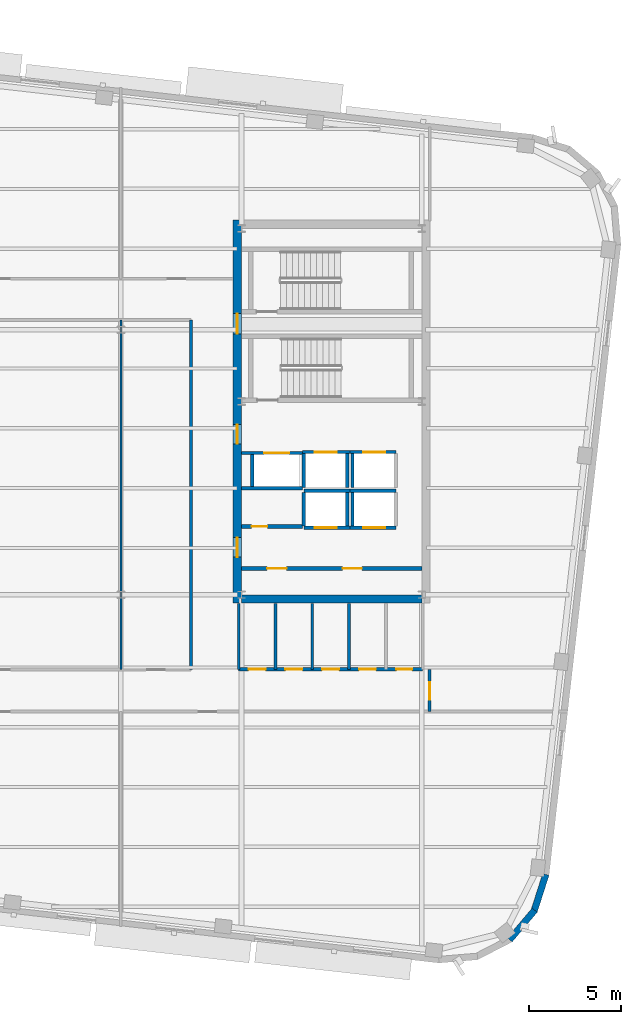
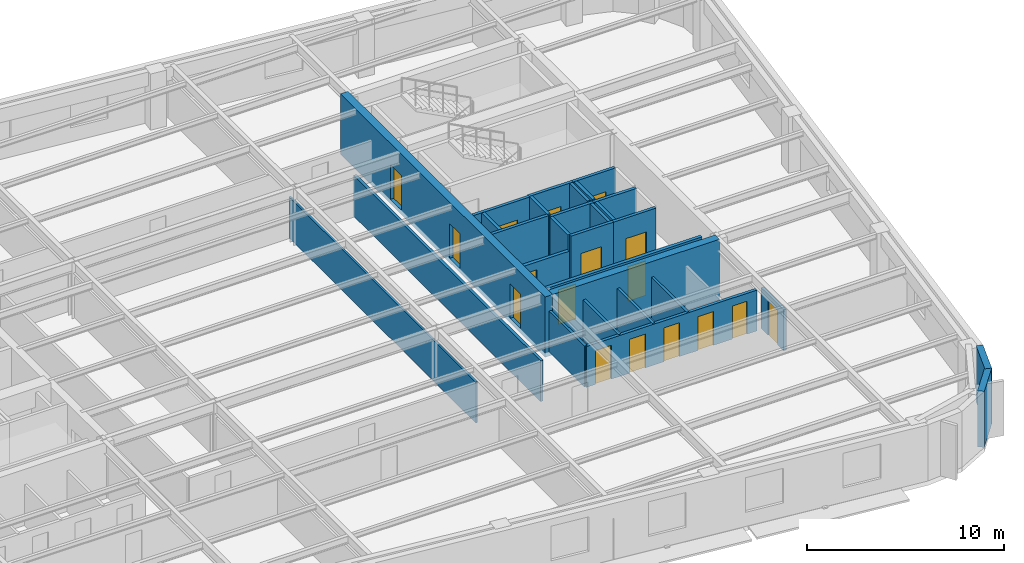
# One storey, part 7 of 14: 29 walls, 17 doors, 17 openings.
"""IFC4 building model written with IfcOpenShell, lengths in metres."""

import ifcopenshell
import ifcopenshell.guid

model = None  # the IFC model being written
_history = None  # IfcOwnerHistory: only IFC2X3 demands one
_inside = {}  # id of a spatial element -> (the spatial element, [elements in it])
_under = {}  # id of a project, library or spatial element -> (it, [spatial elements below it])
_declared = {}  # id of a project -> (the project, [libraries it declares])
_typed = {}  # id of a type object -> (the type object, [elements of that type])
_made_of = {}  # id of a material, layer set ... -> (it, [elements and type objects made of it])


def new_model(schema):
    """Start an empty IFC model of exactly this schema.

    Asked for "IFC4X3", IfcOpenShell would pick the latest addendum, in which some entities
    have other attributes; the version numbers below select the first issue.
    IFC2X3 requires an IfcOwnerHistory on every rooted entity: one is made here for all.
    """
    global model, _history
    if schema == "IFC4X3":
        model = ifcopenshell.file(schema_version=(4, 3, 0, 0))
    else:
        model = ifcopenshell.file(schema=schema)
    _inside.clear()
    _under.clear()
    _declared.clear()
    _typed.clear()
    _made_of.clear()
    _history = None
    if model.schema == "IFC2X3":
        org = make("IfcOrganization", Name="unknown")
        user = make(
            "IfcPersonAndOrganization",
            ThePerson=make("IfcPerson", FamilyName="unknown"),
            TheOrganization=org,
        )
        app = make(
            "IfcApplication",
            ApplicationDeveloper=org,
            Version="unknown",
            ApplicationFullName="unknown",
            ApplicationIdentifier="unknown",
        )
        _history = make(
            "IfcOwnerHistory",
            OwningUser=user,
            OwningApplication=app,
            ChangeAction="ADDED",
            CreationDate=0,
        )
    return model


def make(cls, **values):
    """One entity of the class cls with the attributes given. An attribute that is None is left unset."""
    return model.create_entity(
        cls, **{name: value for name, value in values.items() if value is not None}
    )


def rooted(cls, **values):
    """An entity with a GlobalId (a new one), such as an element, a storey or a relation."""
    return make(cls, GlobalId=ifcopenshell.guid.new(), OwnerHistory=_history, **values)


def si_unit(unit_type, name, prefix=None):
    """IfcSIUnit, for example si_unit("LENGTHUNIT", "METRE", prefix="MILLI")."""
    return make("IfcSIUnit", UnitType=unit_type, Prefix=prefix, Name=name)


def assignment(units):
    """IfcUnitAssignment: the units of a project."""
    return None if units is None else make("IfcUnitAssignment", Units=units)


def point(xyz):
    """IfcCartesianPoint."""
    return None if xyz is None else make("IfcCartesianPoint", Coordinates=xyz)


def direction(xyz):
    """IfcDirection."""
    return None if xyz is None else make("IfcDirection", DirectionRatios=xyz)


def frame(location, z_axis=None, x_axis=None):
    """IfcAxis2Placement3D, a coordinate frame: its origin and axes. An axis left out is left unset."""
    return make(
        "IfcAxis2Placement3D",
        Location=point(location),
        Axis=direction(z_axis),
        RefDirection=direction(x_axis),
    )


def frame_2d(location, x_axis=None):
    """IfcAxis2Placement2D, a coordinate frame in the plane: its origin and x axis."""
    return make(
        "IfcAxis2Placement2D", Location=point(location), RefDirection=direction(x_axis)
    )


def origin():
    """The frame at (0, 0, 0) with its axes left unset."""
    return frame((0.0, 0.0, 0.0))


def place(relative_to, where):
    """IfcLocalPlacement: puts the frame where relative to a parent placement (None: the world)."""
    return make(
        "IfcLocalPlacement", PlacementRelTo=relative_to, RelativePlacement=where
    )


def context(
    kind, dimensions, precision=None, world=None, true_north=None, identifier=None
):
    """IfcGeometricRepresentationContext, for example the 3D "Model" context."""
    return make(
        "IfcGeometricRepresentationContext",
        ContextIdentifier=identifier,
        ContextType=kind,
        CoordinateSpaceDimension=dimensions,
        Precision=precision,
        WorldCoordinateSystem=world,
        TrueNorth=true_north,
    )


def subcontext(parent, identifier, kind, view, scale=None):
    """IfcGeometricRepresentationSubContext, for example "Body" below "Model"."""
    return make(
        "IfcGeometricRepresentationSubContext",
        ContextIdentifier=identifier,
        ContextType=kind,
        ParentContext=parent,
        TargetScale=scale,
        TargetView=view,
    )


def project(units=None, contexts=None):
    """IfcProject with its units and contexts."""
    return rooted(
        "IfcProject",
        Name="project",
        RepresentationContexts=contexts,
        UnitsInContext=assignment(units),
    )


def spatial(cls, under=None, at=None, **own):
    """A site, building, storey or space (cls), placed at a placement, below another one or the project."""
    s = rooted(cls, ObjectPlacement=at, **own)
    if under is not None:
        _under.setdefault(under.id(), (under, []))[1].append(s)
    return s


def profile(cls, at=None, kind="AREA", **sizes):
    """A parametric profile (cls). Its sizes go by their IFC names, for example OverallWidth=200.0."""
    return make(cls, ProfileType=kind, Position=at, **sizes)


def rectangle(**sizes):
    """IfcRectangleProfileDef."""
    return profile("IfcRectangleProfileDef", **sizes)


def extrude(swept, where, along, depth):
    """IfcExtrudedAreaSolid: the profile swept, set in the frame where, extruded along a direction by depth."""
    return make(
        "IfcExtrudedAreaSolid",
        SweptArea=swept,
        Position=where,
        ExtrudedDirection=direction(along),
        Depth=depth,
    )


def shape(context_of_items, identifier, shape_type, items):
    """IfcShapeRepresentation: the items that make up one representation, for example the "Body"."""
    return make(
        "IfcShapeRepresentation",
        ContextOfItems=context_of_items,
        RepresentationIdentifier=identifier,
        RepresentationType=shape_type,
        Items=items,
    )


def material(Name=None, Category=None):
    """IfcMaterial."""
    return make("IfcMaterial", Name=Name, Category=Category)


def layer(
    of_material, thickness, ventilated=None, Name=None, Category=None, Priority=None
):
    """IfcMaterialLayer: one layer of a wall or slab, of a material (None: an air gap)."""
    return make(
        "IfcMaterialLayer",
        Material=of_material,
        LayerThickness=thickness,
        IsVentilated=ventilated,
        Name=Name,
        Category=Category,
        Priority=Priority,
    )


def layer_set(layers, Name=None):
    """IfcMaterialLayerSet."""
    return make("IfcMaterialLayerSet", MaterialLayers=layers, LayerSetName=Name)


def made_of(thing, what):
    """Note that an element or type object is made of a material, layer set ...; save() writes the relation."""
    if what is not None:
        _made_of.setdefault(what.id(), (what, []))[1].append(thing)
    return thing


def type_object(cls, material=None, **own):
    """A type object (cls), such as IfcWallType, which elements share."""
    return made_of(rooted(cls, **own), material)


def element(
    cls,
    number,
    at=None,
    inside=None,
    cuts=None,
    type_object=None,
    material=None,
    context=None,
    identifier="Body",
    shape_type=None,
    held_by="IfcProductDefinitionShape",
    body=None,
    shapes=None,
    **own,
):
    """One element of the class cls, such as IfcWall. Its Tag is "e" and its number.

    at: its placement. inside: the storey or other place that contains it. cuts: it is an
    opening in that element (IfcRelVoidsElement). A single representation is given by context,
    identifier, shape_type and body (its items); several are given by shapes. held_by: the class
    of the entity that holds the representations. save() writes the other relations.
    """
    e = rooted(cls, Tag="e%d" % number, ObjectPlacement=at, **own)
    if body is not None:
        shapes = [shape(context, identifier, shape_type, body)]
    if shapes is not None:
        e.Representation = make(held_by, Representations=shapes)
    if inside is not None:
        _inside.setdefault(inside.id(), (inside, []))[1].append(e)
    if cuts is not None:
        rooted(
            "IfcRelVoidsElement", RelatingBuildingElement=cuts, RelatedOpeningElement=e
        )
    if type_object is not None:
        _typed.setdefault(type_object.id(), (type_object, []))[1].append(e)
    return made_of(e, material)


def fill(opening, filler):
    """IfcRelFillsElement: the door or window that sits in an opening."""
    return rooted(
        "IfcRelFillsElement",
        RelatingOpeningElement=opening,
        RelatedBuildingElement=filler,
    )


def aggregate(whole, parts):
    """IfcRelAggregates: a whole, such as a stair, and the parts it consists of."""
    return rooted("IfcRelAggregates", RelatingObject=whole, RelatedObjects=parts)


def save(model, path):
    """Write the relations noted so far, then the file.

    IfcRelAggregates (storeys below a building ...), IfcRelContainedInSpatialStructure (elements
    in a storey), IfcRelDefinesByType, IfcRelAssociatesMaterial and IfcRelDeclares: one each for
    every whole, place, type object, material and project.
    """
    for whole, parts in _under.values():
        aggregate(whole, parts)
    for where, things in _inside.values():
        rooted(
            "IfcRelContainedInSpatialStructure",
            RelatedElements=things,
            RelatingStructure=where,
        )
    for kind, things in _typed.values():
        rooted("IfcRelDefinesByType", RelatedObjects=things, RelatingType=kind)
    for what, things in _made_of.values():
        rooted("IfcRelAssociatesMaterial", RelatedObjects=things, RelatingMaterial=what)
    for by, libraries in _declared.values():
        rooted("IfcRelDeclares", RelatingContext=by, RelatedDefinitions=libraries)
    model.write(path)


model = new_model("IFC4")

# Units and contexts
model_context = context("Model", 3, precision=1e-05, world=origin(), true_north=direction((0.0, 1.0)))
body_context = subcontext(model_context, "Body", "Model", "MODEL_VIEW")
ifc_project = project(units=[si_unit("LENGTHUNIT", "METRE"), si_unit("AREAUNIT", "SQUARE_METRE"), si_unit("VOLUMEUNIT", "CUBIC_METRE"), si_unit("PLANEANGLEUNIT", "RADIAN"), si_unit("MASSUNIT", "GRAM", prefix="KILO")], contexts=[model_context])

# Site, building, storey
site_placement = place(None, origin())
site = spatial("IfcSite", under=ifc_project, at=site_placement, CompositionType="ELEMENT")
building_placement = place(site_placement, origin())
building = spatial("IfcBuilding", under=site, at=building_placement, Name="Kolvaren Arena Tower", CompositionType="ELEMENT")
storey_placement = place(building_placement, frame((0.0, 0.0, 235.949951171875)))
storey = spatial("IfcBuildingStorey", under=building, at=storey_placement, Name="L57", CompositionType="ELEMENT", Elevation=235.949951171875)

# Wall
ifc_material_1 = material(Name="Gypsum board acoustic assembly", Category="gypsum")
ifc_layer_1 = layer(ifc_material_1, 0.159912109375)
ifc_layer_set_1 = layer_set([ifc_layer_1], Name="Gypsum board acoustic assembly")
wall_type_1 = type_object("IfcWallType", Name="CORR-160", PredefinedType="PARTITIONING", material=ifc_layer_set_1)
wall_1_placement = place(storey_placement, frame((47.820068359375, 15.3798828125, 0.0), z_axis=(0.0, 0.0, 1.0), x_axis=(0.0, 1.0, 0.0)))
element("IfcWall", 1, at=wall_1_placement, inside=storey, type_object=wall_type_1, Name="Interior Partition Wall (L57)", PredefinedType="PARTITIONING", context=body_context, shape_type="SweptSolid", body=[
    extrude(rectangle(XDim=19.0, YDim=0.159912109375, at=frame_2d((9.5, 0.0))), origin(), (0.0, 0.0, 1.0), 2.5400390625),
])

# Wall, opening, door
wall_2_placement = place(storey_placement, frame((60.780029296875, 13.10009765625, 0.0), z_axis=(0.0, 0.0, 1.0), x_axis=(0.0, 1.0, 0.0)))
wall_2 = element("IfcWall", 2, at=wall_2_placement, inside=storey, type_object=wall_type_1, Name="Interior Partition Wall (L57)", PredefinedType="PARTITIONING", context=body_context, shape_type="SweptSolid", body=[
    extrude(rectangle(XDim=2.2998046875, YDim=0.159912109375, at=frame_2d((1.14990234375, 0.0))), origin(), (0.0, 0.0, 1.0), 2.5400390625),
])
opening_1_placement = place(wall_2_placement, frame((0.64990234375, 0.0, 0.0)))
opening_1 = element("IfcOpeningElement", 3, at=opening_1_placement, cuts=wall_2, Name="Opening D05", PredefinedType="OPENING", context=body_context, shape_type="SweptSolid", body=[
    extrude(rectangle(XDim=0.949951171875, YDim=2.14990234375, at=frame_2d((0.47509765625, 1.074951171875))), frame((0.0, 0.08984375, 0.0), z_axis=(0.0, -1.0, 0.0), x_axis=(1.0, 0.0, 0.0)), (0.0, 0.0, 1.0), 0.179931640625),
])
ifc_material_2 = material(Name="Solid-core oak acoustic office door", Category="wood")
door_type_1 = type_object("IfcDoorType", Name="DOOR-OF-095", OperationType="NOTDEFINED", PredefinedType="DOOR", material=ifc_material_2)
door_1_placement = place(opening_1_placement, origin())
door_1 = element("IfcDoor", 4, at=door_1_placement, inside=storey, type_object=door_type_1, Name="East Wing Studio Door (L57)", OperationType="SINGLE_SWING_RIGHT", OverallHeight=2.14990234375, OverallWidth=0.949951171875, PredefinedType="DOOR", context=body_context, shape_type="SweptSolid", body=[
    extrude(rectangle(XDim=0.949951171875, YDim=2.14990234375, at=frame_2d((0.47509765625, 1.074951171875))), frame((0.0, 0.02490234375, 0.0), z_axis=(0.0, -1.0, 0.0), x_axis=(1.0, 0.0, 0.0)), (0.0, 0.0, 1.0), 0.050048828125),
])
fill(opening_1, door_1)

# Wall, openings, doors
ifc_material_3 = material(Name="Concrete 55 MPa", Category="concrete")
ifc_layer_2 = layer(ifc_material_3, 0.449951171875)
ifc_layer_set_2 = layer_set([ifc_layer_2], Name="Concrete 55 MPa")
wall_type_2 = type_object("IfcWallType", Name="CWALL-450", PredefinedType="SHEAR", material=ifc_layer_set_2)
wall_3_placement = place(storey_placement, frame((50.324951171875, 19.0, -0.27001953125), z_axis=(0.0, 0.0, 1.0), x_axis=(0.0, 1.0, 0.0)))
wall_3 = element("IfcWall", 5, at=wall_3_placement, inside=storey, type_object=wall_type_2, Name="Core Shear Wall EC-WEST (L57)", PredefinedType="SHEAR", context=body_context, shape_type="SweptSolid", body=[
    extrude(rectangle(XDim=20.800048828125, YDim=0.449951171875, at=frame_2d((10.39990234375, 0.0))), origin(), (0.0, 0.0, 1.0), 3.75),
])
opening_2_placement = place(wall_3_placement, frame((2.5, 0.0, 0.27001953125)))
opening_2 = element("IfcOpeningElement", 6, at=opening_2_placement, cuts=wall_3, Name="Opening D04", PredefinedType="OPENING", context=body_context, shape_type="SweptSolid", body=[
    extrude(rectangle(XDim=1.050048828125, YDim=2.14990234375, at=frame_2d((0.52490234375, 1.074951171875))), frame((0.0, 0.23486328125, 0.0), z_axis=(0.0, -1.0, 0.0), x_axis=(1.0, 0.0, 0.0)), (0.0, 0.0, 1.0), 0.469970703125),
])
opening_3_placement = place(wall_3_placement, frame((8.64990234375, 0.0, 0.27001953125)))
opening_3 = element("IfcOpeningElement", 7, at=opening_3_placement, cuts=wall_3, Name="Opening D04", PredefinedType="OPENING", context=body_context, shape_type="SweptSolid", body=[
    extrude(rectangle(XDim=1.050048828125, YDim=2.14990234375, at=frame_2d((0.52490234375, 1.074951171875))), frame((0.0, 0.23486328125, 0.0), z_axis=(0.0, -1.0, 0.0), x_axis=(1.0, 0.0, 0.0)), (0.0, 0.0, 1.0), 0.469970703125),
])
opening_4_placement = place(wall_3_placement, frame((14.6201171875, 0.0, 0.27001953125)))
opening_4 = element("IfcOpeningElement", 8, at=opening_4_placement, cuts=wall_3, Name="Opening D03", PredefinedType="OPENING", context=body_context, shape_type="SweptSolid", body=[
    extrude(rectangle(XDim=1.10009765625, YDim=2.14990234375, at=frame_2d((0.550048828125, 1.074951171875))), frame((0.0, 0.23486328125, 0.0), z_axis=(0.0, -1.0, 0.0), x_axis=(1.0, 0.0, 0.0)), (0.0, 0.0, 1.0), 0.469970703125),
])
ifc_material_4 = material(Name="Fire-rated steel lobby door", Category="steel")
door_type_2 = type_object("IfcDoorType", Name="DOOR-FF-105", OperationType="NOTDEFINED", PredefinedType="DOOR", material=ifc_material_4)
door_2_placement = place(opening_2_placement, origin())
door_2 = element("IfcDoor", 9, at=door_2_placement, inside=storey, type_object=door_type_2, Name="East Lift Lobby Fire Door (L57)", OperationType="SINGLE_SWING_RIGHT", OverallHeight=2.14990234375, OverallWidth=1.050048828125, PredefinedType="DOOR", context=body_context, shape_type="SweptSolid", body=[
    extrude(rectangle(XDim=1.050048828125, YDim=2.14990234375, at=frame_2d((0.52490234375, 1.074951171875))), frame((0.0, 0.02490234375, 0.0), z_axis=(0.0, -1.0, 0.0), x_axis=(1.0, 0.0, 0.0)), (0.0, 0.0, 1.0), 0.050048828125),
])
fill(opening_2, door_2)
door_3_placement = place(opening_3_placement, origin())
door_3 = element("IfcDoor", 10, at=door_3_placement, inside=storey, type_object=door_type_2, Name="East Firefighter Vestibule Door (L57)", OperationType="SINGLE_SWING_LEFT", OverallHeight=2.14990234375, OverallWidth=1.050048828125, PredefinedType="DOOR", context=body_context, shape_type="SweptSolid", body=[
    extrude(rectangle(XDim=1.050048828125, YDim=2.14990234375, at=frame_2d((0.52490234375, 1.074951171875))), frame((0.0, 0.02490234375, 0.0), z_axis=(0.0, -1.0, 0.0), x_axis=(1.0, 0.0, 0.0)), (0.0, 0.0, 1.0), 0.050048828125),
])
fill(opening_3, door_3)
ifc_material_5 = material(Name="Fire-rated steel exit stair door", Category="steel")
door_type_3 = type_object("IfcDoorType", Name="DOOR-ST-110", OperationType="NOTDEFINED", PredefinedType="DOOR", material=ifc_material_5)
door_4_placement = place(opening_4_placement, origin())
door_4 = element("IfcDoor", 11, at=door_4_placement, inside=storey, type_object=door_type_3, Name="Stair ST-E2 Vestibule Fire Door (L57)", OperationType="SINGLE_SWING_LEFT", OverallHeight=2.14990234375, OverallWidth=1.10009765625, PredefinedType="DOOR", context=body_context, shape_type="SweptSolid", body=[
    extrude(rectangle(XDim=1.10009765625, YDim=2.14990234375, at=frame_2d((0.550048828125, 1.074951171875))), frame((0.0, 0.02490234375, 0.0), z_axis=(0.0, -1.0, 0.0), x_axis=(1.0, 0.0, 0.0)), (0.0, 0.0, 1.0), 0.050048828125),
])
fill(opening_4, door_4)

# Walls
wall_4_placement = place(storey_placement, frame((50.550048828125, 19.22509765625, -0.27001953125), z_axis=(0.0, 0.0, 1.0), x_axis=(1.0, 0.0, 0.0)))
element("IfcWall", 12, at=wall_4_placement, inside=storey, type_object=wall_type_2, Name="Core Shear Wall EC-SOUTH (L57)", PredefinedType="SHEAR", context=body_context, shape_type="SweptSolid", body=[
    extrude(rectangle(XDim=9.800048828125, YDim=0.449951171875, at=frame_2d((4.89990234375, 0.0))), origin(), (0.0, 0.0, 1.0), 3.75),
])
ifc_material_6 = material(Name="Precast concrete C50/60", Category="concrete")
ifc_layer_3 = layer(ifc_material_6, 0.360107421875)
ifc_layer_set_3 = layer_set([ifc_layer_3], Name="Precast concrete C50/60")
wall_type_3 = type_object("IfcWallType", Name="EXT-PIER2", PredefinedType="SOLIDWALL", material=ifc_layer_set_3)
wall_5_placement = place(storey_placement, frame((66.482421875, 2.310302734375, 0.0), z_axis=(0.0, 0.0, 1.0), x_axis=(-0.646103249464, -0.763250018691, 0.0)))
element("IfcWall", 13, at=wall_5_placement, inside=storey, type_object=wall_type_3, Name="Exterior Precast Masonry-Frame Wall (L57)", PredefinedType="SOLIDWALL", context=body_context, shape_type="SweptSolid", body=[
    extrude(rectangle(XDim=2.10693359375, YDim=0.360107421875, at=frame_2d((1.053466796875, 0.0))), origin(), (0.0, 0.0, 1.0), 3.47998046875),
])
wall_6_placement = place(storey_placement, frame((67.0908203125, 4.255615234375, 0.0), z_axis=(0.0, 0.0, 1.0), x_axis=(-0.304838787518, -0.952403965565, 0.0)))
element("IfcWall", 14, at=wall_6_placement, inside=storey, type_object=wall_type_3, Name="Exterior Precast Masonry-Frame Wall (L57)", PredefinedType="SOLIDWALL", context=body_context, shape_type="SweptSolid", body=[
    extrude(rectangle(XDim=2.107177734375, YDim=0.360107421875, at=frame_2d((1.0537109375, 0.0))), origin(), (0.0, 0.0, 1.0), 3.47998046875),
])

# Wall, openings, doors
ifc_material_7 = material(Name="Concrete 40 MPa", Category="concrete")
ifc_layer_4 = layer(ifc_material_7, 0.199951171875)
ifc_layer_set_4 = layer_set([ifc_layer_4], Name="Concrete 40 MPa")
wall_type_4 = type_object("IfcWallType", Name="LOBBY-200", PredefinedType="SOLIDWALL", material=ifc_layer_set_4)
wall_7_placement = place(storey_placement, frame((50.550048828125, 20.8798828125, 0.0), z_axis=(0.0, 0.0, 1.0), x_axis=(1.0, 0.0, 0.0)))
wall_7 = element("IfcWall", 15, at=wall_7_placement, inside=storey, type_object=wall_type_4, Name="Core Shaft Wall (L57)", PredefinedType="SOLIDWALL", context=body_context, shape_type="SweptSolid", body=[
    extrude(rectangle(XDim=9.800048828125, YDim=0.199951171875, at=frame_2d((4.89990234375, 0.0))), origin(), (0.0, 0.0, 1.0), 2.5400390625),
])
opening_5_placement = place(wall_7_placement, frame((1.39990234375, 0.0, 0.0)))
opening_5 = element("IfcOpeningElement", 16, at=opening_5_placement, cuts=wall_7, Name="Opening D04", PredefinedType="OPENING", context=body_context, shape_type="SweptSolid", body=[
    extrude(rectangle(XDim=1.050048828125, YDim=2.14990234375, at=frame_2d((0.52490234375, 1.074951171875))), frame((0.0, 0.10986328125, 0.0), z_axis=(0.0, -1.0, 0.0), x_axis=(1.0, 0.0, 0.0)), (0.0, 0.0, 1.0), 0.219970703125),
])
opening_6_placement = place(wall_7_placement, frame((5.5, 0.0, 0.0)))
opening_6 = element("IfcOpeningElement", 17, at=opening_6_placement, cuts=wall_7, Name="Opening D04", PredefinedType="OPENING", context=body_context, shape_type="SweptSolid", body=[
    extrude(rectangle(XDim=1.050048828125, YDim=2.14990234375, at=frame_2d((0.52490234375, 1.074951171875))), frame((0.0, 0.10986328125, 0.0), z_axis=(0.0, -1.0, 0.0), x_axis=(1.0, 0.0, 0.0)), (0.0, 0.0, 1.0), 0.219970703125),
])
door_5_placement = place(opening_5_placement, origin())
door_5 = element("IfcDoor", 18, at=door_5_placement, inside=storey, type_object=door_type_2, Name="East Telecom Room Fire Door (L57)", OperationType="SINGLE_SWING_RIGHT", OverallHeight=2.14990234375, OverallWidth=1.050048828125, PredefinedType="DOOR", context=body_context, shape_type="SweptSolid", body=[
    extrude(rectangle(XDim=1.050048828125, YDim=2.14990234375, at=frame_2d((0.52490234375, 1.074951171875))), frame((0.0, 0.02490234375, 0.0), z_axis=(0.0, -1.0, 0.0), x_axis=(1.0, 0.0, 0.0)), (0.0, 0.0, 1.0), 0.050048828125),
])
fill(opening_5, door_5)
door_6_placement = place(opening_6_placement, origin())
door_6 = element("IfcDoor", 19, at=door_6_placement, inside=storey, type_object=door_type_2, Name="East Records Room Fire Door (L57)", OperationType="SINGLE_SWING_LEFT", OverallHeight=2.14990234375, OverallWidth=1.050048828125, PredefinedType="DOOR", context=body_context, shape_type="SweptSolid", body=[
    extrude(rectangle(XDim=1.050048828125, YDim=2.14990234375, at=frame_2d((0.52490234375, 1.074951171875))), frame((0.0, 0.02490234375, 0.0), z_axis=(0.0, -1.0, 0.0), x_axis=(1.0, 0.0, 0.0)), (0.0, 0.0, 1.0), 0.050048828125),
])
fill(opening_6, door_6)

# Wall, opening, door
wall_8_placement = place(storey_placement, frame((50.550048828125, 23.159912109375, 0.0), z_axis=(0.0, 0.0, 1.0), x_axis=(1.0, 0.0, 0.0)))
wall_8 = element("IfcWall", 20, at=wall_8_placement, inside=storey, type_object=wall_type_4, Name="Core Shaft Wall (L57)", PredefinedType="SOLIDWALL", context=body_context, shape_type="SweptSolid", body=[
    extrude(rectangle(XDim=3.329833984375, YDim=0.199951171875, at=frame_2d((1.6650390625, 0.0))), origin(), (0.0, 0.0, 1.0), 2.5400390625),
])
opening_7_placement = place(wall_8_placement, frame((0.550048828125, 0.0, 0.0)))
opening_7 = element("IfcOpeningElement", 21, at=opening_7_placement, cuts=wall_8, Name="Opening D09", PredefinedType="OPENING", context=body_context, shape_type="SweptSolid", body=[
    extrude(rectangle(XDim=0.860107421875, YDim=2.050048828125, at=frame_2d((0.43017578125, 1.02490234375))), frame((0.0, 0.10986328125, 0.0), z_axis=(0.0, -1.0, 0.0), x_axis=(1.0, 0.0, 0.0)), (0.0, 0.0, 1.0), 0.219970703125),
])
ifc_material_8 = material(Name="Fire-rated steel riser access door", Category="steel")
door_type_4 = type_object("IfcDoorType", Name="DOOR-RS-086", OperationType="NOTDEFINED", PredefinedType="DOOR", material=ifc_material_8)
door_7_placement = place(opening_7_placement, origin())
door_7 = element("IfcDoor", 22, at=door_7_placement, inside=storey, type_object=door_type_4, Name="East AV Riser Closet Door (L57)", OperationType="SINGLE_SWING_LEFT", OverallHeight=2.050048828125, OverallWidth=0.860107421875, PredefinedType="DOOR", context=body_context, shape_type="SweptSolid", body=[
    extrude(rectangle(XDim=0.860107421875, YDim=2.050048828125, at=frame_2d((0.43017578125, 1.02490234375))), frame((0.0, 0.02490234375, 0.0), z_axis=(0.0, -1.0, 0.0), x_axis=(1.0, 0.0, 0.0)), (0.0, 0.0, 1.0), 0.050048828125),
])
fill(opening_7, door_7)

# Walls
ifc_material_9 = material(Name="Gypsum board partition assembly", Category="gypsum")
ifc_layer_5 = layer(ifc_material_9, 0.114990234375)
ifc_layer_set_5 = layer_set([ifc_layer_5], Name="Gypsum board partition assembly")
wall_type_5 = type_object("IfcWallType", Name="PART-115", PredefinedType="PARTITIONING", material=ifc_layer_set_5)
wall_9_placement = place(storey_placement, frame((44.0, 15.3798828125, 0.0), z_axis=(0.0, 0.0, 1.0), x_axis=(0.0, 1.0, 0.0)))
element("IfcWall", 23, at=wall_9_placement, inside=storey, type_object=wall_type_5, Name="Interior Partition Wall (L57)", PredefinedType="PARTITIONING", context=body_context, shape_type="SweptSolid", body=[
    extrude(rectangle(XDim=19.0, YDim=0.114990234375, at=frame_2d((9.5, 0.0))), origin(), (0.0, 0.0, 1.0), 2.5400390625),
])
ifc_material_10 = material(Name="Concrete 45 MPa", Category="concrete")
ifc_layer_6 = layer(ifc_material_10, 0.25)
ifc_layer_set_6 = layer_set([ifc_layer_6], Name="Concrete 45 MPa")
wall_type_6 = type_object("IfcWallType", Name="SHAFT-250", PredefinedType="SOLIDWALL", material=ifc_layer_set_6)
wall_10_placement = place(storey_placement, frame((53.93994140625, 25.10498046875, 0.0), z_axis=(0.0, 0.0, 1.0), x_axis=(1.0, 0.0, 0.0)))
element("IfcWall", 24, at=wall_10_placement, inside=storey, type_object=wall_type_6, Name="Core Shaft Wall (L57)", PredefinedType="SOLIDWALL", context=body_context, shape_type="SweptSolid", body=[
    extrude(rectangle(XDim=2.5, YDim=0.179931640625, at=frame_2d((1.25, 0.0))), origin(), (0.0, 0.0, 1.0), 3.47998046875),
])

# Wall, opening, door
wall_11_placement = place(storey_placement, frame((53.93994140625, 23.094970703125, 0.0), z_axis=(0.0, 0.0, 1.0), x_axis=(1.0, 0.0, 0.0)))
wall_11 = element("IfcWall", 25, at=wall_11_placement, inside=storey, type_object=wall_type_6, Name="Core Shaft Wall (L57)", PredefinedType="SOLIDWALL", context=body_context, shape_type="SweptSolid", body=[
    extrude(rectangle(XDim=2.5, YDim=0.179931640625, at=frame_2d((1.25, 0.0))), origin(), (0.0, 0.0, 1.0), 3.47998046875),
])
opening_8_placement = place(wall_11_placement, frame((0.580078125, 0.0, 0.0)))
opening_8 = element("IfcOpeningElement", 26, at=opening_8_placement, cuts=wall_11, Name="Opening LD1", PredefinedType="OPENING", context=body_context, shape_type="SweptSolid", body=[
    extrude(rectangle(XDim=1.199951171875, YDim=2.199951171875, at=frame_2d((0.60009765625, 1.10009765625))), frame((0.0, 0.099853515625, 0.0), z_axis=(0.0, -1.0, 0.0), x_axis=(1.0, 0.0, 0.0)), (0.0, 0.0, 1.0), 0.199951171875),
])
ifc_material_11 = material(Name="Stainless steel passenger lift landing door", Category="steel")
door_type_5 = type_object("IfcDoorType", Name="DOOR-LD-120", OperationType="DOUBLE_DOOR_SLIDING", PredefinedType="DOOR", material=ifc_material_11)
door_8_placement = place(opening_8_placement, origin())
door_8 = element("IfcDoor", 27, at=door_8_placement, inside=storey, type_object=door_type_5, Name="Lift EL-HR1 Landing Door (L57)", OperationType="DOUBLE_DOOR_SLIDING", OverallHeight=2.199951171875, OverallWidth=1.199951171875, PredefinedType="DOOR", context=body_context, shape_type="SweptSolid", body=[
    extrude(rectangle(XDim=1.199951171875, YDim=2.199951171875, at=frame_2d((0.60009765625, 1.10009765625))), frame((0.0, 0.02490234375, 0.0), z_axis=(0.0, -1.0, 0.0), x_axis=(1.0, 0.0, 0.0)), (0.0, 0.0, 1.0), 0.050048828125),
])
fill(opening_8, door_8)

# Walls
for number, where, z_axis, x_axis, name in (
    (28, (53.93994140625, 23.18505859375, 0.0), (0.0, 0.0, 1.0), (0.0, 1.0, 0.0), "Core Shaft Wall (L57)"),
    (29, (56.300048828125, 23.18505859375, 0.0), (0.0, 0.0, 1.0), (0.0, 1.0, 0.0), "Core Shaft Wall (L57)"),
):
    element("IfcWall", number, at=place(storey_placement, frame(where, z_axis=z_axis, x_axis=x_axis)), inside=storey, type_object=wall_type_6, Name=name, PredefinedType="SOLIDWALL", context=body_context, shape_type="SweptSolid", body=[
        extrude(rectangle(XDim=1.829833984375, YDim=0.179931640625, at=frame_2d((0.9150390625, 0.0))), origin(), (0.0, 0.0, 1.0), 3.47998046875),
    ])
wall_12_placement = place(storey_placement, frame((56.43994140625, 25.10498046875, 0.0), z_axis=(0.0, 0.0, 1.0), x_axis=(1.0, 0.0, 0.0)))
element("IfcWall", 30, at=wall_12_placement, inside=storey, type_object=wall_type_6, Name="Core Shaft Wall (L57)", PredefinedType="SOLIDWALL", context=body_context, shape_type="SweptSolid", body=[
    extrude(rectangle(XDim=2.5, YDim=0.179931640625, at=frame_2d((1.25, 0.0))), origin(), (0.0, 0.0, 1.0), 3.47998046875),
])

# Wall, opening, door
wall_13_placement = place(storey_placement, frame((56.43994140625, 23.094970703125, 0.0), z_axis=(0.0, 0.0, 1.0), x_axis=(1.0, 0.0, 0.0)))
wall_13 = element("IfcWall", 31, at=wall_13_placement, inside=storey, type_object=wall_type_6, Name="Core Shaft Wall (L57)", PredefinedType="SOLIDWALL", context=body_context, shape_type="SweptSolid", body=[
    extrude(rectangle(XDim=2.5, YDim=0.179931640625, at=frame_2d((1.25, 0.0))), origin(), (0.0, 0.0, 1.0), 3.47998046875),
])
opening_9_placement = place(wall_13_placement, frame((0.719970703125, 0.0, 0.0)))
opening_9 = element("IfcOpeningElement", 32, at=opening_9_placement, cuts=wall_13, Name="Opening LD1", PredefinedType="OPENING", context=body_context, shape_type="SweptSolid", body=[
    extrude(rectangle(XDim=1.199951171875, YDim=2.199951171875, at=frame_2d((0.60009765625, 1.10009765625))), frame((0.0, 0.099853515625, 0.0), z_axis=(0.0, -1.0, 0.0), x_axis=(1.0, 0.0, 0.0)), (0.0, 0.0, 1.0), 0.199951171875),
])
door_9_placement = place(opening_9_placement, origin())
door_9 = element("IfcDoor", 33, at=door_9_placement, inside=storey, type_object=door_type_5, Name="Lift EL-HR2 Landing Door (L57)", OperationType="DOUBLE_DOOR_SLIDING", OverallHeight=2.199951171875, OverallWidth=1.199951171875, PredefinedType="DOOR", context=body_context, shape_type="SweptSolid", body=[
    extrude(rectangle(XDim=1.199951171875, YDim=2.199951171875, at=frame_2d((0.60009765625, 1.10009765625))), frame((0.0, 0.02490234375, 0.0), z_axis=(0.0, -1.0, 0.0), x_axis=(1.0, 0.0, 0.0)), (0.0, 0.0, 1.0), 0.050048828125),
])
fill(opening_9, door_9)

# Wall
wall_14_placement = place(storey_placement, frame((56.580078125, 23.18505859375, 0.0), z_axis=(0.0, 0.0, 1.0), x_axis=(0.0, 1.0, 0.0)))
element("IfcWall", 34, at=wall_14_placement, inside=storey, type_object=wall_type_6, Name="Core Shaft Wall (L57)", PredefinedType="SOLIDWALL", context=body_context, shape_type="SweptSolid", body=[
    extrude(rectangle(XDim=1.829833984375, YDim=0.179931640625, at=frame_2d((0.9150390625, 0.0))), origin(), (0.0, 0.0, 1.0), 3.47998046875),
])

# Wall, opening, door
wall_15_placement = place(storey_placement, frame((53.864990234375, 27.205078125, 0.0), z_axis=(0.0, 0.0, 1.0), x_axis=(1.0, 0.0, 0.0)))
wall_15 = element("IfcWall", 35, at=wall_15_placement, inside=storey, type_object=wall_type_6, Name="Core Shaft Wall (L57)", PredefinedType="SOLIDWALL", context=body_context, shape_type="SweptSolid", body=[
    extrude(rectangle(XDim=2.574951171875, YDim=0.179931640625, at=frame_2d((1.28759765625, 0.0))), origin(), (0.0, 0.0, 1.0), 3.47998046875),
])
opening_10_placement = place(wall_15_placement, frame((0.655029296875, 0.0, 0.0)))
opening_10 = element("IfcOpeningElement", 36, at=opening_10_placement, cuts=wall_15, Name="Opening LD1", PredefinedType="OPENING", context=body_context, shape_type="SweptSolid", body=[
    extrude(rectangle(XDim=1.199951171875, YDim=2.199951171875, at=frame_2d((0.60009765625, 1.10009765625))), frame((0.0, 0.099853515625, 0.0), z_axis=(0.0, -1.0, 0.0), x_axis=(1.0, 0.0, 0.0)), (0.0, 0.0, 1.0), 0.199951171875),
])
door_10_placement = place(opening_10_placement, origin())
door_10 = element("IfcDoor", 37, at=door_10_placement, inside=storey, type_object=door_type_5, Name="Lift EL-HR3 Landing Door (L57)", OperationType="DOUBLE_DOOR_SLIDING", OverallHeight=2.199951171875, OverallWidth=1.199951171875, PredefinedType="DOOR", context=body_context, shape_type="SweptSolid", body=[
    extrude(rectangle(XDim=1.199951171875, YDim=2.199951171875, at=frame_2d((0.60009765625, 1.10009765625))), frame((0.0, 0.02490234375, 0.0), z_axis=(0.0, -1.0, 0.0), x_axis=(1.0, 0.0, 0.0)), (0.0, 0.0, 1.0), 0.050048828125),
])
fill(opening_10, door_10)

# Walls
for number, where, z_axis, x_axis, name in (
    (38, (53.93994140625, 25.284912109375, 0.0), (0.0, 0.0, 1.0), (0.0, 1.0, 0.0), "Core Shaft Wall (L57)"),
    (39, (56.300048828125, 25.284912109375, 0.0), (0.0, 0.0, 1.0), (0.0, 1.0, 0.0), "Core Shaft Wall (L57)"),
):
    element("IfcWall", number, at=place(storey_placement, frame(where, z_axis=z_axis, x_axis=x_axis)), inside=storey, type_object=wall_type_6, Name=name, PredefinedType="SOLIDWALL", context=body_context, shape_type="SweptSolid", body=[
        extrude(rectangle(XDim=1.830078125, YDim=0.179931640625, at=frame_2d((0.9150390625, 0.0))), origin(), (0.0, 0.0, 1.0), 3.47998046875),
    ])

# Wall, opening, door
wall_16_placement = place(storey_placement, frame((56.43994140625, 27.205078125, 0.0), z_axis=(0.0, 0.0, 1.0), x_axis=(1.0, 0.0, 0.0)))
wall_16 = element("IfcWall", 40, at=wall_16_placement, inside=storey, type_object=wall_type_6, Name="Core Shaft Wall (L57)", PredefinedType="SOLIDWALL", context=body_context, shape_type="SweptSolid", body=[
    extrude(rectangle(XDim=2.5, YDim=0.179931640625, at=frame_2d((1.25, 0.0))), origin(), (0.0, 0.0, 1.0), 3.47998046875),
])
opening_11_placement = place(wall_16_placement, frame((0.719970703125, 0.0, 0.0)))
opening_11 = element("IfcOpeningElement", 41, at=opening_11_placement, cuts=wall_16, Name="Opening LD1", PredefinedType="OPENING", context=body_context, shape_type="SweptSolid", body=[
    extrude(rectangle(XDim=1.199951171875, YDim=2.199951171875, at=frame_2d((0.60009765625, 1.10009765625))), frame((0.0, 0.099853515625, 0.0), z_axis=(0.0, -1.0, 0.0), x_axis=(1.0, 0.0, 0.0)), (0.0, 0.0, 1.0), 0.199951171875),
])
door_11_placement = place(opening_11_placement, origin())
door_11 = element("IfcDoor", 42, at=door_11_placement, inside=storey, type_object=door_type_5, Name="Lift EL-HR4 Landing Door (L57)", OperationType="DOUBLE_DOOR_SLIDING", OverallHeight=2.199951171875, OverallWidth=1.199951171875, PredefinedType="DOOR", context=body_context, shape_type="SweptSolid", body=[
    extrude(rectangle(XDim=1.199951171875, YDim=2.199951171875, at=frame_2d((0.60009765625, 1.10009765625))), frame((0.0, 0.02490234375, 0.0), z_axis=(0.0, -1.0, 0.0), x_axis=(1.0, 0.0, 0.0)), (0.0, 0.0, 1.0), 0.050048828125),
])
fill(opening_11, door_11)

# Wall
wall_17_placement = place(storey_placement, frame((56.580078125, 25.284912109375, 0.0), z_axis=(0.0, 0.0, 1.0), x_axis=(0.0, 1.0, 0.0)))
element("IfcWall", 43, at=wall_17_placement, inside=storey, type_object=wall_type_6, Name="Core Shaft Wall (L57)", PredefinedType="SOLIDWALL", context=body_context, shape_type="SweptSolid", body=[
    extrude(rectangle(XDim=1.830078125, YDim=0.179931640625, at=frame_2d((0.9150390625, 0.0))), origin(), (0.0, 0.0, 1.0), 3.47998046875),
])

# Wall, opening, door
wall_18_placement = place(storey_placement, frame((50.550048828125, 27.155029296875, 0.0), z_axis=(0.0, 0.0, 1.0), x_axis=(1.0, 0.0, 0.0)))
wall_18 = element("IfcWall", 44, at=wall_18_placement, inside=storey, type_object=wall_type_6, Name="Core Shaft Wall (L57)", PredefinedType="SOLIDWALL", context=body_context, shape_type="SweptSolid", body=[
    extrude(rectangle(XDim=3.31494140625, YDim=0.179931640625, at=frame_2d((1.657470703125, 0.0))), origin(), (0.0, 0.0, 1.0), 3.47998046875),
])
opening_12_placement = place(wall_18_placement, frame((1.235107421875, 0.0, 0.0)))
opening_12 = element("IfcOpeningElement", 45, at=opening_12_placement, cuts=wall_18, Name="Opening LD2", PredefinedType="OPENING", context=body_context, shape_type="SweptSolid", body=[
    extrude(rectangle(XDim=1.35009765625, YDim=2.300048828125, at=frame_2d((0.675048828125, 1.14990234375))), frame((0.0, 0.099853515625, 0.0), z_axis=(0.0, -1.0, 0.0), x_axis=(1.0, 0.0, 0.0)), (0.0, 0.0, 1.0), 0.199951171875),
])
ifc_material_12 = material(Name="Stainless steel firefighter lift landing door", Category="steel")
door_type_6 = type_object("IfcDoorType", Name="DOOR-LD-135", OperationType="DOUBLE_DOOR_SLIDING", PredefinedType="DOOR", material=ifc_material_12)
door_12_placement = place(opening_12_placement, origin())
door_12 = element("IfcDoor", 46, at=door_12_placement, inside=storey, type_object=door_type_6, Name="Firefighter Lift FF-E1 Landing Door (L57)", OperationType="DOUBLE_DOOR_SLIDING", OverallHeight=2.300048828125, OverallWidth=1.35009765625, PredefinedType="DOOR", context=body_context, shape_type="SweptSolid", body=[
    extrude(rectangle(XDim=1.35009765625, YDim=2.300048828125, at=frame_2d((0.675048828125, 1.14990234375))), frame((0.0, 0.02490234375, 0.0), z_axis=(0.0, -1.0, 0.0), x_axis=(1.0, 0.0, 0.0)), (0.0, 0.0, 1.0), 0.050048828125),
])
fill(opening_12, door_12)

# Walls
wall_19_placement = place(storey_placement, frame((50.550048828125, 25.2451171875, 0.0), z_axis=(0.0, 0.0, 1.0), x_axis=(1.0, 0.0, 0.0)))
element("IfcWall", 47, at=wall_19_placement, inside=storey, type_object=wall_type_6, Name="Core Shaft Wall (L57)", PredefinedType="SOLIDWALL", context=body_context, shape_type="SweptSolid", body=[
    extrude(rectangle(XDim=3.31494140625, YDim=0.179931640625, at=frame_2d((1.657470703125, 0.0))), origin(), (0.0, 0.0, 1.0), 3.47998046875),
])
wall_20_placement = place(storey_placement, frame((51.1298828125, 25.3349609375, 0.0), z_axis=(0.0, 0.0, 1.0), x_axis=(0.0, 1.0, 0.0)))
element("IfcWall", 48, at=wall_20_placement, inside=storey, type_object=wall_type_6, Name="Core Shaft Wall (L57)", PredefinedType="SOLIDWALL", context=body_context, shape_type="SweptSolid", body=[
    extrude(rectangle(XDim=1.72998046875, YDim=0.179931640625, at=frame_2d((0.864990234375, 0.0))), origin(), (0.0, 0.0, 1.0), 3.47998046875),
])

# Wall, openings, doors
wall_21_placement = place(storey_placement, frame((50.39990234375, 15.39990234375, 0.0), z_axis=(0.0, 0.0, 1.0), x_axis=(1.0, 0.0, 0.0)))
wall_21 = element("IfcWall", 49, at=wall_21_placement, inside=storey, type_object=wall_type_6, Name="Interior Partition Wall (L57)", PredefinedType="SOLIDWALL", context=body_context, shape_type="SweptSolid", body=[
    extrude(rectangle(XDim=10.0, YDim=0.179931640625, at=frame_2d((5.0, 0.0))), origin(), (0.0, 0.0, 1.0), 2.5400390625),
])
opening_13_placement = place(wall_21_placement, frame((0.5400390625, 0.0, 0.0)))
opening_13 = element("IfcOpeningElement", 50, at=opening_13_placement, cuts=wall_21, Name="Opening D07", PredefinedType="OPENING", context=body_context, shape_type="SweptSolid", body=[
    extrude(rectangle(XDim=0.919921875, YDim=2.10009765625, at=frame_2d((0.4599609375, 1.050048828125))), frame((0.0, 0.099853515625, 0.0), z_axis=(0.0, -1.0, 0.0), x_axis=(1.0, 0.0, 0.0)), (0.0, 0.0, 1.0), 0.199951171875),
])
opening_14_placement = place(wall_21_placement, frame((2.5400390625, 0.0, 0.0)))
opening_14 = element("IfcOpeningElement", 51, at=opening_14_placement, cuts=wall_21, Name="Opening D07", PredefinedType="OPENING", context=body_context, shape_type="SweptSolid", body=[
    extrude(rectangle(XDim=0.919921875, YDim=2.10009765625, at=frame_2d((0.4599609375, 1.050048828125))), frame((0.0, 0.099853515625, 0.0), z_axis=(0.0, -1.0, 0.0), x_axis=(1.0, 0.0, 0.0)), (0.0, 0.0, 1.0), 0.199951171875),
])
opening_15_placement = place(wall_21_placement, frame((4.5400390625, 0.0, 0.0)))
opening_15 = element("IfcOpeningElement", 52, at=opening_15_placement, cuts=wall_21, Name="Opening D07", PredefinedType="OPENING", context=body_context, shape_type="SweptSolid", body=[
    extrude(rectangle(XDim=0.919921875, YDim=2.10009765625, at=frame_2d((0.4599609375, 1.050048828125))), frame((0.0, 0.099853515625, 0.0), z_axis=(0.0, -1.0, 0.0), x_axis=(1.0, 0.0, 0.0)), (0.0, 0.0, 1.0), 0.199951171875),
])
opening_16_placement = place(wall_21_placement, frame((6.5400390625, 0.0, 0.0)))
opening_16 = element("IfcOpeningElement", 53, at=opening_16_placement, cuts=wall_21, Name="Opening D07", PredefinedType="OPENING", context=body_context, shape_type="SweptSolid", body=[
    extrude(rectangle(XDim=0.919921875, YDim=2.10009765625, at=frame_2d((0.4599609375, 1.050048828125))), frame((0.0, 0.099853515625, 0.0), z_axis=(0.0, -1.0, 0.0), x_axis=(1.0, 0.0, 0.0)), (0.0, 0.0, 1.0), 0.199951171875),
])
opening_17_placement = place(wall_21_placement, frame((8.570068359375, 0.0, 0.0)))
opening_17 = element("IfcOpeningElement", 54, at=opening_17_placement, cuts=wall_21, Name="Opening D09", PredefinedType="OPENING", context=body_context, shape_type="SweptSolid", body=[
    extrude(rectangle(XDim=0.860107421875, YDim=2.050048828125, at=frame_2d((0.43017578125, 1.02490234375))), frame((0.0, 0.099853515625, 0.0), z_axis=(0.0, -1.0, 0.0), x_axis=(1.0, 0.0, 0.0)), (0.0, 0.0, 1.0), 0.199951171875),
])
door_13_placement = place(opening_17_placement, origin())
door_13 = element("IfcDoor", 55, at=door_13_placement, inside=storey, type_object=door_type_4, Name="Telecom Riser Closet Door (L57)", OperationType="SINGLE_SWING_LEFT", OverallHeight=2.050048828125, OverallWidth=0.860107421875, PredefinedType="DOOR", context=body_context, shape_type="SweptSolid", body=[
    extrude(rectangle(XDim=0.860107421875, YDim=2.050048828125, at=frame_2d((0.43017578125, 1.02490234375))), frame((0.0, 0.02490234375, 0.0), z_axis=(0.0, -1.0, 0.0), x_axis=(1.0, 0.0, 0.0)), (0.0, 0.0, 1.0), 0.050048828125),
])
fill(opening_17, door_13)
ifc_material_13 = material(Name="Laminate universal washroom door", Category="wood")
door_type_7 = type_object("IfcDoorType", Name="DOOR-WC-092", OperationType="NOTDEFINED", PredefinedType="DOOR", material=ifc_material_13)
door_14_placement = place(opening_13_placement, origin())
door_14 = element("IfcDoor", 56, at=door_14_placement, inside=storey, type_object=door_type_7, Name="First Aid Store Door (L57)", OperationType="SINGLE_SWING_LEFT", OverallHeight=2.10009765625, OverallWidth=0.919921875, PredefinedType="DOOR", context=body_context, shape_type="SweptSolid", body=[
    extrude(rectangle(XDim=0.919921875, YDim=2.10009765625, at=frame_2d((0.4599609375, 1.050048828125))), frame((0.0, 0.02490234375, 0.0), z_axis=(0.0, -1.0, 0.0), x_axis=(1.0, 0.0, 0.0)), (0.0, 0.0, 1.0), 0.050048828125),
])
fill(opening_13, door_14)
door_15_placement = place(opening_14_placement, origin())
door_15 = element("IfcDoor", 57, at=door_15_placement, inside=storey, type_object=door_type_7, Name="Cleaner and Janitor Store Door (L57)", OperationType="SINGLE_SWING_RIGHT", OverallHeight=2.10009765625, OverallWidth=0.919921875, PredefinedType="DOOR", context=body_context, shape_type="SweptSolid", body=[
    extrude(rectangle(XDim=0.919921875, YDim=2.10009765625, at=frame_2d((0.4599609375, 1.050048828125))), frame((0.0, 0.02490234375, 0.0), z_axis=(0.0, -1.0, 0.0), x_axis=(1.0, 0.0, 0.0)), (0.0, 0.0, 1.0), 0.050048828125),
])
fill(opening_14, door_15)
door_16_placement = place(opening_15_placement, origin())
door_16 = element("IfcDoor", 58, at=door_16_placement, inside=storey, type_object=door_type_7, Name="Staff Pantry Door (L57)", OperationType="SINGLE_SWING_LEFT", OverallHeight=2.10009765625, OverallWidth=0.919921875, PredefinedType="DOOR", context=body_context, shape_type="SweptSolid", body=[
    extrude(rectangle(XDim=0.919921875, YDim=2.10009765625, at=frame_2d((0.4599609375, 1.050048828125))), frame((0.0, 0.02490234375, 0.0), z_axis=(0.0, -1.0, 0.0), x_axis=(1.0, 0.0, 0.0)), (0.0, 0.0, 1.0), 0.050048828125),
])
fill(opening_15, door_16)
door_17_placement = place(opening_16_placement, origin())
door_17 = element("IfcDoor", 59, at=door_17_placement, inside=storey, type_object=door_type_7, Name="Gender-Neutral Washroom Door (L57)", OperationType="SINGLE_SWING_RIGHT", OverallHeight=2.10009765625, OverallWidth=0.919921875, PredefinedType="DOOR", context=body_context, shape_type="SweptSolid", body=[
    extrude(rectangle(XDim=0.919921875, YDim=2.10009765625, at=frame_2d((0.4599609375, 1.050048828125))), frame((0.0, 0.02490234375, 0.0), z_axis=(0.0, -1.0, 0.0), x_axis=(1.0, 0.0, 0.0)), (0.0, 0.0, 1.0), 0.050048828125),
])
fill(opening_16, door_17)

# Walls
ifc_material_14 = material(Name="Moisture-resistant gypsum assembly", Category="gypsum")
ifc_layer_7 = layer(ifc_material_14, 0.14990234375)
ifc_layer_set_7 = layer_set([ifc_layer_7], Name="Moisture-resistant gypsum assembly")
wall_type_7 = type_object("IfcWallType", Name="WETW-150", PredefinedType="PARTITIONING", material=ifc_layer_set_7)
for number, where, z_axis, x_axis, name in (
    (60, (52.39990234375, 15.39990234375, 0.0), (0.0, 0.0, 1.0), (0.0, 1.0, 0.0), "Interior Partition Wall (L57)"),
    (61, (54.39990234375, 15.39990234375, 0.0), (0.0, 0.0, 1.0), (0.0, 1.0, 0.0), "Interior Partition Wall (L57)"),
    (62, (56.39990234375, 15.39990234375, 0.0), (0.0, 0.0, 1.0), (0.0, 1.0, 0.0), "Interior Partition Wall (L57)"),
    (63, (50.39990234375, 15.39990234375, 0.0), (0.0, 0.0, 1.0), (0.0, 1.0, 0.0), "Interior Partition Wall (L57)"),
):
    element("IfcWall", number, at=place(storey_placement, frame(where, z_axis=z_axis, x_axis=x_axis)), inside=storey, type_object=wall_type_7, Name=name, PredefinedType="PARTITIONING", context=body_context, shape_type="SweptSolid", body=[
        extrude(rectangle(XDim=3.580078125, YDim=0.14990234375, at=frame_2d((1.7900390625, 0.0))), origin(), (0.0, 0.0, 1.0), 2.5400390625),
    ])

save(model, "model.ifc")
